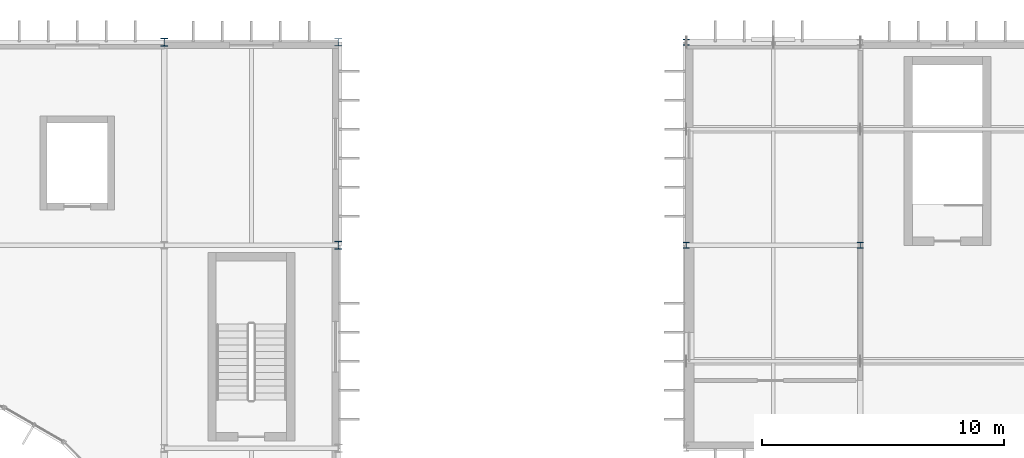
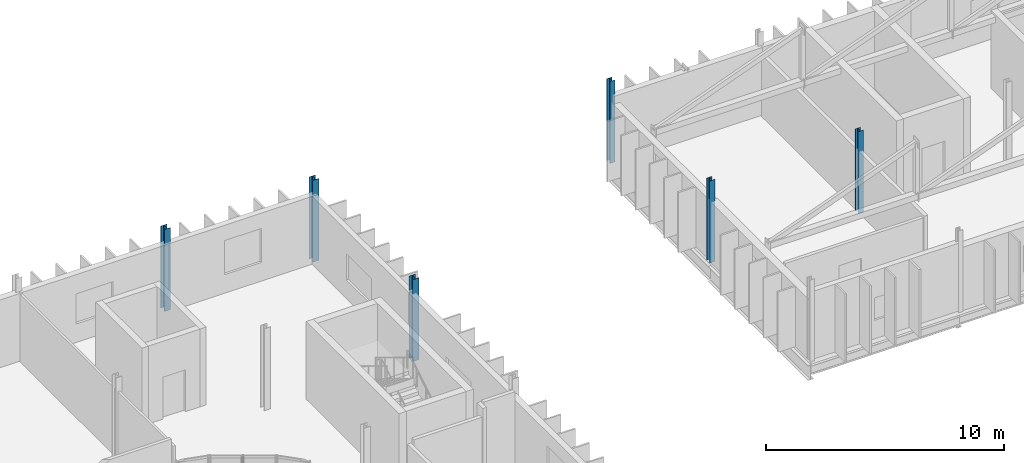
# One storey, part 9 of 52: 6 columns.
"""IFC4 building model written with IfcOpenShell, lengths in metres."""

import ifcopenshell
import ifcopenshell.guid

model = None  # the IFC model being written
_history = None  # IfcOwnerHistory: only IFC2X3 demands one
_inside = {}  # id of a spatial element -> (the spatial element, [elements in it])
_under = {}  # id of a project, library or spatial element -> (it, [spatial elements below it])
_declared = {}  # id of a project -> (the project, [libraries it declares])
_typed = {}  # id of a type object -> (the type object, [elements of that type])
_made_of = {}  # id of a material, layer set ... -> (it, [elements and type objects made of it])


def new_model(schema):
    """Start an empty IFC model of exactly this schema.

    Asked for "IFC4X3", IfcOpenShell would pick the latest addendum, in which some entities
    have other attributes; the version numbers below select the first issue.
    IFC2X3 requires an IfcOwnerHistory on every rooted entity: one is made here for all.
    """
    global model, _history
    if schema == "IFC4X3":
        model = ifcopenshell.file(schema_version=(4, 3, 0, 0))
    else:
        model = ifcopenshell.file(schema=schema)
    _inside.clear()
    _under.clear()
    _declared.clear()
    _typed.clear()
    _made_of.clear()
    _history = None
    if model.schema == "IFC2X3":
        org = make("IfcOrganization", Name="unknown")
        user = make(
            "IfcPersonAndOrganization",
            ThePerson=make("IfcPerson", FamilyName="unknown"),
            TheOrganization=org,
        )
        app = make(
            "IfcApplication",
            ApplicationDeveloper=org,
            Version="unknown",
            ApplicationFullName="unknown",
            ApplicationIdentifier="unknown",
        )
        _history = make(
            "IfcOwnerHistory",
            OwningUser=user,
            OwningApplication=app,
            ChangeAction="ADDED",
            CreationDate=0,
        )
    return model


def make(cls, **values):
    """One entity of the class cls with the attributes given. An attribute that is None is left unset."""
    return model.create_entity(
        cls, **{name: value for name, value in values.items() if value is not None}
    )


def rooted(cls, **values):
    """An entity with a GlobalId (a new one), such as an element, a storey or a relation."""
    return make(cls, GlobalId=ifcopenshell.guid.new(), OwnerHistory=_history, **values)


def si_unit(unit_type, name, prefix=None):
    """IfcSIUnit, for example si_unit("LENGTHUNIT", "METRE", prefix="MILLI")."""
    return make("IfcSIUnit", UnitType=unit_type, Prefix=prefix, Name=name)


def assignment(units):
    """IfcUnitAssignment: the units of a project."""
    return None if units is None else make("IfcUnitAssignment", Units=units)


def point(xyz):
    """IfcCartesianPoint."""
    return None if xyz is None else make("IfcCartesianPoint", Coordinates=xyz)


def direction(xyz):
    """IfcDirection."""
    return None if xyz is None else make("IfcDirection", DirectionRatios=xyz)


def frame(location, z_axis=None, x_axis=None):
    """IfcAxis2Placement3D, a coordinate frame: its origin and axes. An axis left out is left unset."""
    return make(
        "IfcAxis2Placement3D",
        Location=point(location),
        Axis=direction(z_axis),
        RefDirection=direction(x_axis),
    )


def frame_2d(location, x_axis=None):
    """IfcAxis2Placement2D, a coordinate frame in the plane: its origin and x axis."""
    return make(
        "IfcAxis2Placement2D", Location=point(location), RefDirection=direction(x_axis)
    )


def origin():
    """The frame at (0, 0, 0) with its axes left unset."""
    return frame((0.0, 0.0, 0.0))


def origin_2d():
    """The frame at (0, 0) in the plane with its x axis left unset."""
    return frame_2d((0.0, 0.0))


def place(relative_to, where):
    """IfcLocalPlacement: puts the frame where relative to a parent placement (None: the world)."""
    return make(
        "IfcLocalPlacement", PlacementRelTo=relative_to, RelativePlacement=where
    )


def context(
    kind, dimensions, precision=None, world=None, true_north=None, identifier=None
):
    """IfcGeometricRepresentationContext, for example the 3D "Model" context."""
    return make(
        "IfcGeometricRepresentationContext",
        ContextIdentifier=identifier,
        ContextType=kind,
        CoordinateSpaceDimension=dimensions,
        Precision=precision,
        WorldCoordinateSystem=world,
        TrueNorth=true_north,
    )


def subcontext(parent, identifier, kind, view, scale=None):
    """IfcGeometricRepresentationSubContext, for example "Body" below "Model"."""
    return make(
        "IfcGeometricRepresentationSubContext",
        ContextIdentifier=identifier,
        ContextType=kind,
        ParentContext=parent,
        TargetScale=scale,
        TargetView=view,
    )


def project(units=None, contexts=None):
    """IfcProject with its units and contexts."""
    return rooted(
        "IfcProject",
        Name="project",
        RepresentationContexts=contexts,
        UnitsInContext=assignment(units),
    )


def spatial(cls, under=None, at=None, **own):
    """A site, building, storey or space (cls), placed at a placement, below another one or the project."""
    s = rooted(cls, ObjectPlacement=at, **own)
    if under is not None:
        _under.setdefault(under.id(), (under, []))[1].append(s)
    return s


def profile(cls, at=None, kind="AREA", **sizes):
    """A parametric profile (cls). Its sizes go by their IFC names, for example OverallWidth=200.0."""
    return make(cls, ProfileType=kind, Position=at, **sizes)


def i_section(**sizes):
    """IfcIShapeProfileDef."""
    return profile("IfcIShapeProfileDef", **sizes)


def extrude(swept, where, along, depth):
    """IfcExtrudedAreaSolid: the profile swept, set in the frame where, extruded along a direction by depth."""
    return make(
        "IfcExtrudedAreaSolid",
        SweptArea=swept,
        Position=where,
        ExtrudedDirection=direction(along),
        Depth=depth,
    )


def shape(context_of_items, identifier, shape_type, items):
    """IfcShapeRepresentation: the items that make up one representation, for example the "Body"."""
    return make(
        "IfcShapeRepresentation",
        ContextOfItems=context_of_items,
        RepresentationIdentifier=identifier,
        RepresentationType=shape_type,
        Items=items,
    )


def material(Name=None, Category=None):
    """IfcMaterial."""
    return make("IfcMaterial", Name=Name, Category=Category)


def material_profile(
    of_material, cross_section, Name=None, Category=None, Priority=None
):
    """IfcMaterialProfile: a cross section and its material."""
    return make(
        "IfcMaterialProfile",
        Name=Name,
        Material=of_material,
        Profile=cross_section,
        Priority=Priority,
        Category=Category,
    )


def profile_set(profiles, Name=None, composite=None):
    """IfcMaterialProfileSet."""
    return make(
        "IfcMaterialProfileSet",
        Name=Name,
        MaterialProfiles=profiles,
        CompositeProfile=composite,
    )


def made_of(thing, what):
    """Note that an element or type object is made of a material, layer set ...; save() writes the relation."""
    if what is not None:
        _made_of.setdefault(what.id(), (what, []))[1].append(thing)
    return thing


def type_object(cls, material=None, **own):
    """A type object (cls), such as IfcWallType, which elements share."""
    return made_of(rooted(cls, **own), material)


def element(
    cls,
    number,
    at=None,
    inside=None,
    cuts=None,
    type_object=None,
    material=None,
    context=None,
    identifier="Body",
    shape_type=None,
    held_by="IfcProductDefinitionShape",
    body=None,
    shapes=None,
    **own,
):
    """One element of the class cls, such as IfcWall. Its Tag is "e" and its number.

    at: its placement. inside: the storey or other place that contains it. cuts: it is an
    opening in that element (IfcRelVoidsElement). A single representation is given by context,
    identifier, shape_type and body (its items); several are given by shapes. held_by: the class
    of the entity that holds the representations. save() writes the other relations.
    """
    e = rooted(cls, Tag="e%d" % number, ObjectPlacement=at, **own)
    if body is not None:
        shapes = [shape(context, identifier, shape_type, body)]
    if shapes is not None:
        e.Representation = make(held_by, Representations=shapes)
    if inside is not None:
        _inside.setdefault(inside.id(), (inside, []))[1].append(e)
    if cuts is not None:
        rooted(
            "IfcRelVoidsElement", RelatingBuildingElement=cuts, RelatedOpeningElement=e
        )
    if type_object is not None:
        _typed.setdefault(type_object.id(), (type_object, []))[1].append(e)
    return made_of(e, material)


def aggregate(whole, parts):
    """IfcRelAggregates: a whole, such as a stair, and the parts it consists of."""
    return rooted("IfcRelAggregates", RelatingObject=whole, RelatedObjects=parts)


def save(model, path):
    """Write the relations noted so far, then the file.

    IfcRelAggregates (storeys below a building ...), IfcRelContainedInSpatialStructure (elements
    in a storey), IfcRelDefinesByType, IfcRelAssociatesMaterial and IfcRelDeclares: one each for
    every whole, place, type object, material and project.
    """
    for whole, parts in _under.values():
        aggregate(whole, parts)
    for where, things in _inside.values():
        rooted(
            "IfcRelContainedInSpatialStructure",
            RelatedElements=things,
            RelatingStructure=where,
        )
    for kind, things in _typed.values():
        rooted("IfcRelDefinesByType", RelatedObjects=things, RelatingType=kind)
    for what, things in _made_of.values():
        rooted("IfcRelAssociatesMaterial", RelatedObjects=things, RelatingMaterial=what)
    for by, libraries in _declared.values():
        rooted("IfcRelDeclares", RelatingContext=by, RelatedDefinitions=libraries)
    model.write(path)


model = new_model("IFC4")

# Units and contexts
model_context = context("Model", 3, precision=1e-05, world=origin(), true_north=direction((0.0, 1.0)))
body_context = subcontext(model_context, "Body", "Model", "MODEL_VIEW")
ifc_project = project(units=[si_unit("LENGTHUNIT", "METRE"), si_unit("AREAUNIT", "SQUARE_METRE"), si_unit("VOLUMEUNIT", "CUBIC_METRE"), si_unit("PLANEANGLEUNIT", "RADIAN"), si_unit("MASSUNIT", "GRAM", prefix="KILO")], contexts=[model_context])

# Site, building, storey
site_placement = place(None, origin())
site = spatial("IfcSite", under=ifc_project, at=site_placement, CompositionType="ELEMENT")
building_placement = place(site_placement, origin())
building = spatial("IfcBuilding", under=site, at=building_placement, Name="Qelthora Terrace Specialist Clinic", CompositionType="ELEMENT")
storey_placement = place(building_placement, frame((0.0, 0.0, 17.39990234375)))
storey = spatial("IfcBuildingStorey", under=building, at=storey_placement, Name="L04", CompositionType="ELEMENT", Elevation=17.39990234375)

# Columns
ifc_material = material(Name="Steel S355", Category="steel")
ifc_material_profile_1 = material_profile(ifc_material, i_section(OverallWidth=0.2548828125, OverallDepth=0.256103515625, WebThickness=0.009521484375, FlangeThickness=0.015625, FilletRadius=0.012939453125, at=origin_2d()), Name="W250X80")
ifc_profile_set_1 = profile_set([ifc_material_profile_1], Name="Steel S355")
column_type_1 = type_object("IfcColumnType", Name="COL-W250X80", PredefinedType="COLUMN", material=ifc_profile_set_1)
column_1_placement = place(storey_placement, frame((57.60009765625, 109.199951171875, 0.0), z_axis=(0.0, 0.0, 1.0), x_axis=(1.0, 0.0, 0.0)))
element("IfcColumn", 1, at=column_1_placement, inside=storey, type_object=column_type_1, Name="Column L04-113", PredefinedType="COLUMN", context=body_context, shape_type="SweptSolid", body=[
    extrude(i_section(OverallWidth=0.2548828125, OverallDepth=0.256103515625, WebThickness=0.009521484375, FlangeThickness=0.015625, FilletRadius=0.012939453125, at=origin_2d()), origin(), (0.0, 0.0, 1.0), 4.2001953125),
])
ifc_material_profile_2 = material_profile(ifc_material, i_section(OverallWidth=0.256103515625, OverallDepth=0.260009765625, WebThickness=0.0107421875, FlangeThickness=0.017333984375, FilletRadius=0.012939453125, at=origin_2d()), Name="W250X89")
ifc_profile_set_2 = profile_set([ifc_material_profile_2], Name="Steel S355")
column_type_2 = type_object("IfcColumnType", Name="COL-W250X89", PredefinedType="COLUMN", material=ifc_profile_set_2)
for number, where, z_axis, x_axis, name in (
    (2, (57.60009765625, 100.800048828125, 0.0), (0.0, 0.0, 1.0), (1.0, 0.0, 0.0), "Column L04-112"),
    (3, (64.800048828125, 100.800048828125, 0.0), (0.0, 0.0, 1.0), (1.0, 0.0, 0.0), "Column L04-120"),
):
    element("IfcColumn", number, at=place(storey_placement, frame(where, z_axis=z_axis, x_axis=x_axis)), inside=storey, type_object=column_type_2, Name=name, PredefinedType="COLUMN", context=body_context, shape_type="SweptSolid", body=[
        extrude(i_section(OverallWidth=0.256103515625, OverallDepth=0.260009765625, WebThickness=0.0107421875, FlangeThickness=0.017333984375, FilletRadius=0.012939453125, at=origin_2d()), origin(), (0.0, 0.0, 1.0), 4.2001953125),
    ])
ifc_material_profile_3 = material_profile(ifc_material, i_section(OverallWidth=0.305908203125, OverallDepth=0.31103515625, WebThickness=0.010986328125, FlangeThickness=0.01708984375, FilletRadius=0.014892578125, at=origin_2d()), Name="W310X107")
ifc_profile_set_3 = profile_set([ifc_material_profile_3], Name="Steel S355")
column_type_3 = type_object("IfcColumnType", Name="COL-W310X107", PredefinedType="COLUMN", material=ifc_profile_set_3)
column_2_placement = place(storey_placement, frame((43.199951171875, 100.800048828125, 0.0), z_axis=(0.0, 0.0, 1.0), x_axis=(1.0, 0.0, 0.0)))
element("IfcColumn", 4, at=column_2_placement, inside=storey, type_object=column_type_3, Name="Column L04-091", PredefinedType="COLUMN", context=body_context, shape_type="SweptSolid", body=[
    extrude(i_section(OverallWidth=0.305908203125, OverallDepth=0.31103515625, WebThickness=0.010986328125, FlangeThickness=0.01708984375, FilletRadius=0.014892578125, at=origin_2d()), origin(), (0.0, 0.0, 1.0), 4.2001953125),
])
ifc_material_profile_4 = material_profile(ifc_material, i_section(OverallWidth=0.306884765625, OverallDepth=0.31396484375, WebThickness=0.011962890625, FlangeThickness=0.018798828125, FilletRadius=0.01611328125, at=origin_2d()), Name="W310X118")
ifc_profile_set_4 = profile_set([ifc_material_profile_4], Name="Steel S355")
column_type_4 = type_object("IfcColumnType", Name="COL-W310X118", PredefinedType="COLUMN", material=ifc_profile_set_4)
column_3_placement = place(storey_placement, frame((36.0, 109.199951171875, 0.0), z_axis=(0.0, 0.0, 1.0), x_axis=(1.0, 0.0, 0.0)))
element("IfcColumn", 5, at=column_3_placement, inside=storey, type_object=column_type_4, Name="Column L04-078", PredefinedType="COLUMN", context=body_context, shape_type="SweptSolid", body=[
    extrude(i_section(OverallWidth=0.306884765625, OverallDepth=0.31396484375, WebThickness=0.011962890625, FlangeThickness=0.018798828125, FilletRadius=0.01611328125, at=origin_2d()), origin(), (0.0, 0.0, 1.0), 4.2001953125),
])
ifc_material_profile_5 = material_profile(ifc_material, i_section(OverallWidth=0.304931640625, OverallDepth=0.30810546875, WebThickness=0.010009765625, FlangeThickness=0.015380859375, FilletRadius=0.014892578125, at=origin_2d()), Name="W310X97")
ifc_profile_set_5 = profile_set([ifc_material_profile_5], Name="Steel S355")
column_type_5 = type_object("IfcColumnType", Name="COL-W310X97", PredefinedType="COLUMN", material=ifc_profile_set_5)
column_4_placement = place(storey_placement, frame((43.199951171875, 109.199951171875, 0.0), z_axis=(0.0, 0.0, 1.0), x_axis=(1.0, 0.0, 0.0)))
element("IfcColumn", 6, at=column_4_placement, inside=storey, type_object=column_type_5, Name="Column L04-092", PredefinedType="COLUMN", context=body_context, shape_type="SweptSolid", body=[
    extrude(i_section(OverallWidth=0.304931640625, OverallDepth=0.30810546875, WebThickness=0.010009765625, FlangeThickness=0.015380859375, FilletRadius=0.014892578125, at=origin_2d()), origin(), (0.0, 0.0, 1.0), 4.2001953125),
])

save(model, "model.ifc")
